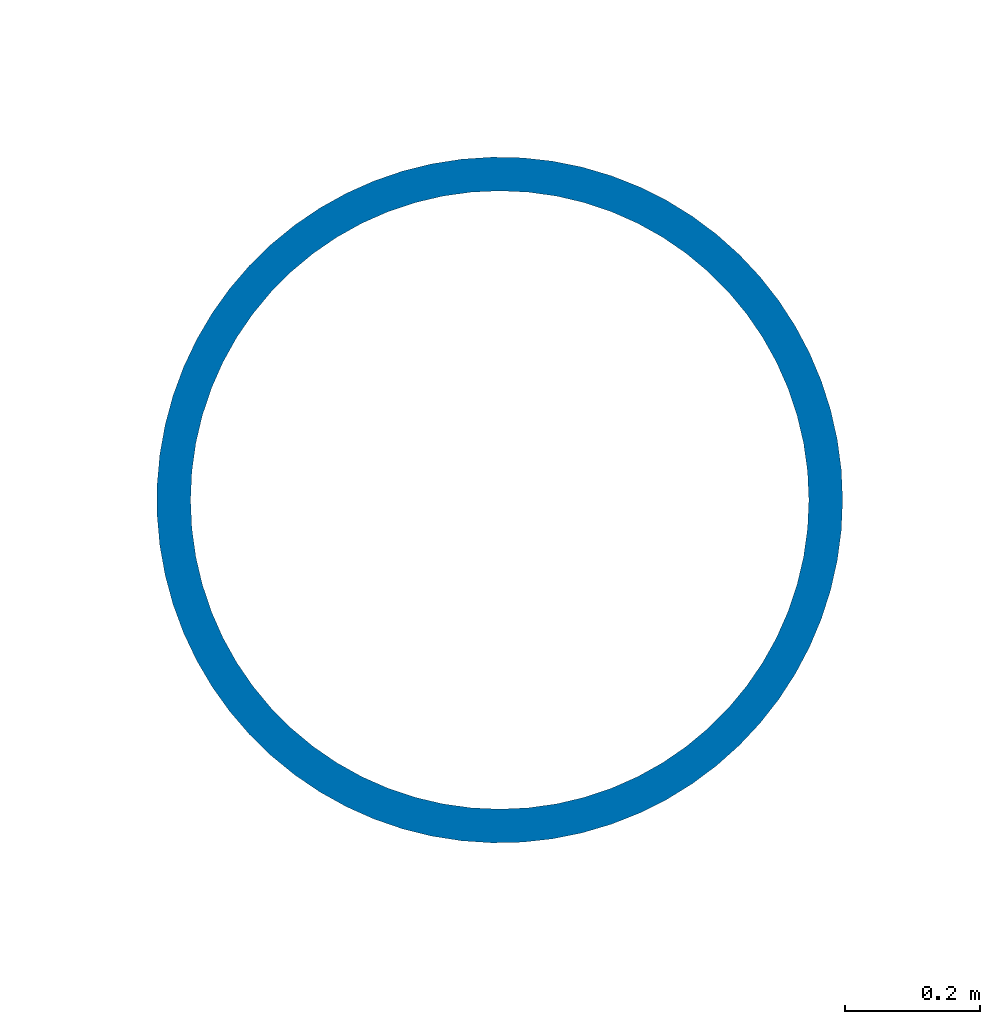
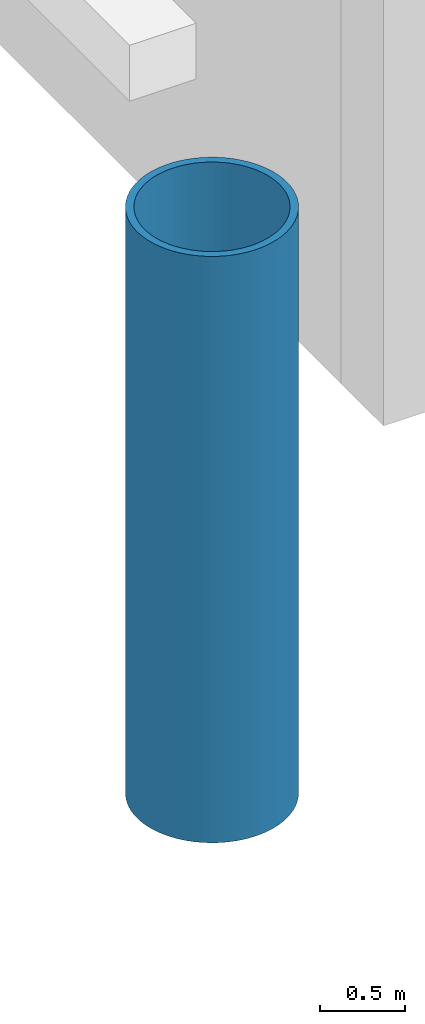
# One storey, part 5 of 88: 1 column.
"""IFC4 building model written with IfcOpenShell, lengths in metres."""

import ifcopenshell
import ifcopenshell.guid

model = None  # the IFC model being written
_history = None  # IfcOwnerHistory: only IFC2X3 demands one
_inside = {}  # id of a spatial element -> (the spatial element, [elements in it])
_under = {}  # id of a project, library or spatial element -> (it, [spatial elements below it])
_declared = {}  # id of a project -> (the project, [libraries it declares])
_typed = {}  # id of a type object -> (the type object, [elements of that type])
_made_of = {}  # id of a material, layer set ... -> (it, [elements and type objects made of it])


def new_model(schema):
    """Start an empty IFC model of exactly this schema.

    Asked for "IFC4X3", IfcOpenShell would pick the latest addendum, in which some entities
    have other attributes; the version numbers below select the first issue.
    IFC2X3 requires an IfcOwnerHistory on every rooted entity: one is made here for all.
    """
    global model, _history
    if schema == "IFC4X3":
        model = ifcopenshell.file(schema_version=(4, 3, 0, 0))
    else:
        model = ifcopenshell.file(schema=schema)
    _inside.clear()
    _under.clear()
    _declared.clear()
    _typed.clear()
    _made_of.clear()
    _history = None
    if model.schema == "IFC2X3":
        org = make("IfcOrganization", Name="unknown")
        user = make(
            "IfcPersonAndOrganization",
            ThePerson=make("IfcPerson", FamilyName="unknown"),
            TheOrganization=org,
        )
        app = make(
            "IfcApplication",
            ApplicationDeveloper=org,
            Version="unknown",
            ApplicationFullName="unknown",
            ApplicationIdentifier="unknown",
        )
        _history = make(
            "IfcOwnerHistory",
            OwningUser=user,
            OwningApplication=app,
            ChangeAction="ADDED",
            CreationDate=0,
        )
    return model


def make(cls, **values):
    """One entity of the class cls with the attributes given. An attribute that is None is left unset."""
    return model.create_entity(
        cls, **{name: value for name, value in values.items() if value is not None}
    )


def rooted(cls, **values):
    """An entity with a GlobalId (a new one), such as an element, a storey or a relation."""
    return make(cls, GlobalId=ifcopenshell.guid.new(), OwnerHistory=_history, **values)


def si_unit(unit_type, name, prefix=None):
    """IfcSIUnit, for example si_unit("LENGTHUNIT", "METRE", prefix="MILLI")."""
    return make("IfcSIUnit", UnitType=unit_type, Prefix=prefix, Name=name)


def assignment(units):
    """IfcUnitAssignment: the units of a project."""
    return None if units is None else make("IfcUnitAssignment", Units=units)


def point(xyz):
    """IfcCartesianPoint."""
    return None if xyz is None else make("IfcCartesianPoint", Coordinates=xyz)


def direction(xyz):
    """IfcDirection."""
    return None if xyz is None else make("IfcDirection", DirectionRatios=xyz)


def frame(location, z_axis=None, x_axis=None):
    """IfcAxis2Placement3D, a coordinate frame: its origin and axes. An axis left out is left unset."""
    return make(
        "IfcAxis2Placement3D",
        Location=point(location),
        Axis=direction(z_axis),
        RefDirection=direction(x_axis),
    )


def frame_2d(location, x_axis=None):
    """IfcAxis2Placement2D, a coordinate frame in the plane: its origin and x axis."""
    return make(
        "IfcAxis2Placement2D", Location=point(location), RefDirection=direction(x_axis)
    )


def origin():
    """The frame at (0, 0, 0) with its axes left unset."""
    return frame((0.0, 0.0, 0.0))


def origin_2d():
    """The frame at (0, 0) in the plane with its x axis left unset."""
    return frame_2d((0.0, 0.0))


def place(relative_to, where):
    """IfcLocalPlacement: puts the frame where relative to a parent placement (None: the world)."""
    return make(
        "IfcLocalPlacement", PlacementRelTo=relative_to, RelativePlacement=where
    )


def context(
    kind, dimensions, precision=None, world=None, true_north=None, identifier=None
):
    """IfcGeometricRepresentationContext, for example the 3D "Model" context."""
    return make(
        "IfcGeometricRepresentationContext",
        ContextIdentifier=identifier,
        ContextType=kind,
        CoordinateSpaceDimension=dimensions,
        Precision=precision,
        WorldCoordinateSystem=world,
        TrueNorth=true_north,
    )


def subcontext(parent, identifier, kind, view, scale=None):
    """IfcGeometricRepresentationSubContext, for example "Body" below "Model"."""
    return make(
        "IfcGeometricRepresentationSubContext",
        ContextIdentifier=identifier,
        ContextType=kind,
        ParentContext=parent,
        TargetScale=scale,
        TargetView=view,
    )


def project(units=None, contexts=None):
    """IfcProject with its units and contexts."""
    return rooted(
        "IfcProject",
        Name="project",
        RepresentationContexts=contexts,
        UnitsInContext=assignment(units),
    )


def spatial(cls, under=None, at=None, **own):
    """A site, building, storey or space (cls), placed at a placement, below another one or the project."""
    s = rooted(cls, ObjectPlacement=at, **own)
    if under is not None:
        _under.setdefault(under.id(), (under, []))[1].append(s)
    return s


def profile(cls, at=None, kind="AREA", **sizes):
    """A parametric profile (cls). Its sizes go by their IFC names, for example OverallWidth=200.0."""
    return make(cls, ProfileType=kind, Position=at, **sizes)


def hollow_circle(**sizes):
    """IfcCircleHollowProfileDef."""
    return profile("IfcCircleHollowProfileDef", **sizes)


def extrude(swept, where, along, depth):
    """IfcExtrudedAreaSolid: the profile swept, set in the frame where, extruded along a direction by depth."""
    return make(
        "IfcExtrudedAreaSolid",
        SweptArea=swept,
        Position=where,
        ExtrudedDirection=direction(along),
        Depth=depth,
    )


def shape(context_of_items, identifier, shape_type, items):
    """IfcShapeRepresentation: the items that make up one representation, for example the "Body"."""
    return make(
        "IfcShapeRepresentation",
        ContextOfItems=context_of_items,
        RepresentationIdentifier=identifier,
        RepresentationType=shape_type,
        Items=items,
    )


def material(Name=None, Category=None):
    """IfcMaterial."""
    return make("IfcMaterial", Name=Name, Category=Category)


def material_profile(
    of_material, cross_section, Name=None, Category=None, Priority=None
):
    """IfcMaterialProfile: a cross section and its material."""
    return make(
        "IfcMaterialProfile",
        Name=Name,
        Material=of_material,
        Profile=cross_section,
        Priority=Priority,
        Category=Category,
    )


def profile_set(profiles, Name=None, composite=None):
    """IfcMaterialProfileSet."""
    return make(
        "IfcMaterialProfileSet",
        Name=Name,
        MaterialProfiles=profiles,
        CompositeProfile=composite,
    )


def made_of(thing, what):
    """Note that an element or type object is made of a material, layer set ...; save() writes the relation."""
    if what is not None:
        _made_of.setdefault(what.id(), (what, []))[1].append(thing)
    return thing


def type_object(cls, material=None, **own):
    """A type object (cls), such as IfcWallType, which elements share."""
    return made_of(rooted(cls, **own), material)


def element(
    cls,
    number,
    at=None,
    inside=None,
    cuts=None,
    type_object=None,
    material=None,
    context=None,
    identifier="Body",
    shape_type=None,
    held_by="IfcProductDefinitionShape",
    body=None,
    shapes=None,
    **own,
):
    """One element of the class cls, such as IfcWall. Its Tag is "e" and its number.

    at: its placement. inside: the storey or other place that contains it. cuts: it is an
    opening in that element (IfcRelVoidsElement). A single representation is given by context,
    identifier, shape_type and body (its items); several are given by shapes. held_by: the class
    of the entity that holds the representations. save() writes the other relations.
    """
    e = rooted(cls, Tag="e%d" % number, ObjectPlacement=at, **own)
    if body is not None:
        shapes = [shape(context, identifier, shape_type, body)]
    if shapes is not None:
        e.Representation = make(held_by, Representations=shapes)
    if inside is not None:
        _inside.setdefault(inside.id(), (inside, []))[1].append(e)
    if cuts is not None:
        rooted(
            "IfcRelVoidsElement", RelatingBuildingElement=cuts, RelatedOpeningElement=e
        )
    if type_object is not None:
        _typed.setdefault(type_object.id(), (type_object, []))[1].append(e)
    return made_of(e, material)


def aggregate(whole, parts):
    """IfcRelAggregates: a whole, such as a stair, and the parts it consists of."""
    return rooted("IfcRelAggregates", RelatingObject=whole, RelatedObjects=parts)


def save(model, path):
    """Write the relations noted so far, then the file.

    IfcRelAggregates (storeys below a building ...), IfcRelContainedInSpatialStructure (elements
    in a storey), IfcRelDefinesByType, IfcRelAssociatesMaterial and IfcRelDeclares: one each for
    every whole, place, type object, material and project.
    """
    for whole, parts in _under.values():
        aggregate(whole, parts)
    for where, things in _inside.values():
        rooted(
            "IfcRelContainedInSpatialStructure",
            RelatedElements=things,
            RelatingStructure=where,
        )
    for kind, things in _typed.values():
        rooted("IfcRelDefinesByType", RelatedObjects=things, RelatingType=kind)
    for what, things in _made_of.values():
        rooted("IfcRelAssociatesMaterial", RelatedObjects=things, RelatingMaterial=what)
    for by, libraries in _declared.values():
        rooted("IfcRelDeclares", RelatingContext=by, RelatedDefinitions=libraries)
    model.write(path)


model = new_model("IFC4")

# Units and contexts
model_context = context("Model", 3, precision=1e-05, world=origin(), true_north=direction((0.0, 1.0)))
body_context = subcontext(model_context, "Body", "Model", "MODEL_VIEW")
ifc_project = project(units=[si_unit("LENGTHUNIT", "METRE"), si_unit("AREAUNIT", "SQUARE_METRE"), si_unit("VOLUMEUNIT", "CUBIC_METRE"), si_unit("PLANEANGLEUNIT", "RADIAN"), si_unit("MASSUNIT", "GRAM", prefix="KILO")], contexts=[model_context])

# Site, building, storey
site_placement = place(None, origin())
site = spatial("IfcSite", under=ifc_project, at=site_placement, CompositionType="ELEMENT")
building_placement = place(site_placement, origin())
building = spatial("IfcBuilding", under=site, at=building_placement, Name="Cresset Court Congress Hotel", CompositionType="ELEMENT")
storey_placement = place(building_placement, frame((0.0, 0.0, 14.39990234375)))
storey = spatial("IfcBuildingStorey", under=building, at=storey_placement, Name="L03", CompositionType="ELEMENT", Elevation=14.39990234375)

# Column
ifc_material = material(Name="Structural steel Q355B", Category="steel")
ifc_material_profile = material_profile(ifc_material, hollow_circle(Radius=0.508056640625, WallThickness=0.050048828125, at=origin_2d()), Name="CHS1016x50")
ifc_profile_set = profile_set([ifc_material_profile], Name="Structural steel Q355B")
column_type = type_object("IfcColumnType", Name="Mast tube 1016x50", PredefinedType="COLUMN", material=ifc_profile_set)
column_placement = place(storey_placement, frame((55.800048828125, 55.800048828125, 0.0), z_axis=(0.0, 0.0, 1.0), x_axis=(1.0, 0.0, 0.0)))
element("IfcColumn", 1, at=column_placement, inside=storey, type_object=column_type, Name="Mast M1", PredefinedType="COLUMN", context=body_context, shape_type="SweptSolid", body=[
    extrude(hollow_circle(Radius=0.508056640625, WallThickness=0.050048828125, at=origin_2d()), origin(), (0.0, 0.0, 1.0), 4.2001953125),
])

save(model, "model.ifc")
